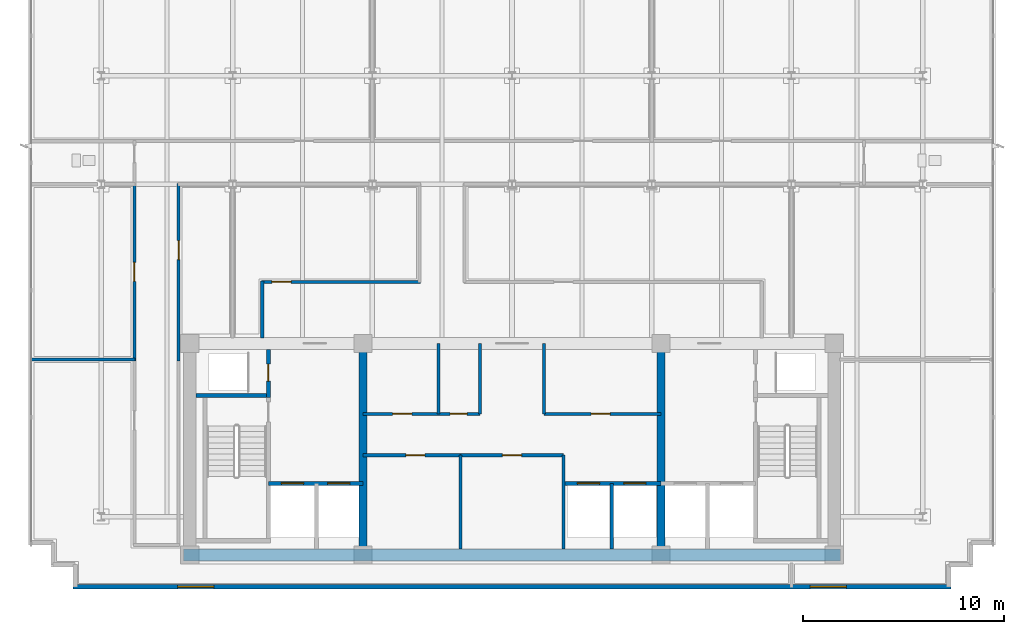
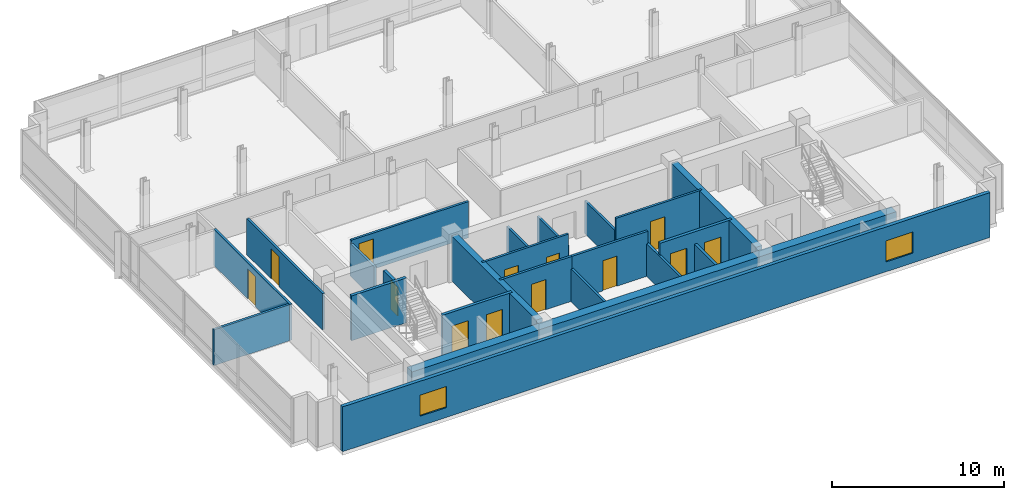
# One storey, part 8 of 15: 23 walls, 13 doors, 2 windows, 15 openings.
"""IFC4 building model written with IfcOpenShell, lengths in metres."""

from ifc_helpers import new_model, si_unit, direction, frame, frame_2d, origin, place, context, subcontext, project, spatial, rectangle, extrude, material, layer, layer_set, type_object, element, fill, save


model = new_model("IFC4")

# Units and contexts
model_context = context("Model", 3, precision=1e-05, world=origin(), true_north=direction((0.0, 1.0)))
body_context = subcontext(model_context, "Body", "Model", "MODEL_VIEW")
ifc_project = project(units=[si_unit("LENGTHUNIT", "METRE"), si_unit("AREAUNIT", "SQUARE_METRE"), si_unit("VOLUMEUNIT", "CUBIC_METRE"), si_unit("PLANEANGLEUNIT", "RADIAN"), si_unit("MASSUNIT", "GRAM", prefix="KILO")], contexts=[model_context])

# Site, building, storey
site_placement = place(None, origin())
site = spatial("IfcSite", under=ifc_project, at=site_placement, CompositionType="ELEMENT")
building_placement = place(site_placement, origin())
building = spatial("IfcBuilding", under=site, at=building_placement, Name="Solmavex Isthmus Hotel", CompositionType="ELEMENT")
storey_placement = place(building_placement, frame((0.0, 0.0, 273.0)))
storey = spatial("IfcBuildingStorey", under=building, at=storey_placement, Name="L74", CompositionType="ELEMENT", Elevation=273.0)

# Wall, openings, windows
ifc_material_1 = material(Name="Precast Concrete C40/50", Category="concrete")
ifc_layer_1 = layer(ifc_material_1, 0.25)
ifc_layer_set_1 = layer_set([ifc_layer_1], Name="Precast Concrete C40/50")
wall_type_1 = type_object("IfcWallType", Name="EW-TWR-250", PredefinedType="STANDARD", material=ifc_layer_set_1)
wall_1_placement = place(storey_placement, frame((-21.800048828125, -14.580078125, 0.0), z_axis=(0.0, 0.0, 1.0), x_axis=(1.0, 0.0, 0.0)))
wall_1 = element("IfcWall", 1, at=wall_1_placement, inside=storey, type_object=wall_type_1, Name="Tower Rear South Facade Wall L74", PredefinedType="STANDARD", context=body_context, shape_type="SweptSolid", body=[
    extrude(rectangle(XDim=43.60009765625, YDim=0.239990234375, at=frame_2d((21.800048828125, 0.0))), origin(), (0.0, 0.0, 1.0), 3.18994140625),
])
opening_1_placement = place(wall_1_placement, frame((5.2041015625, 0.0, 0.699951171875)))
opening_1 = element("IfcOpeningElement", 2, at=opening_1_placement, cuts=wall_1, Name="Opening WN-02", PredefinedType="OPENING", context=body_context, shape_type="SweptSolid", body=[
    extrude(rectangle(XDim=1.800048828125, YDim=1.5, at=frame_2d((0.89990234375, 0.75))), frame((0.0, 0.1298828125, 0.0), z_axis=(0.0, -1.0, 0.0), x_axis=(1.0, 0.0, 0.0)), (0.0, 0.0, 1.0), 0.260009765625),
])
opening_2_placement = place(wall_1_placement, frame((36.595947265625, 0.0, 0.699951171875)))
opening_2 = element("IfcOpeningElement", 3, at=opening_2_placement, cuts=wall_1, Name="Opening WN-02", PredefinedType="OPENING", context=body_context, shape_type="SweptSolid", body=[
    extrude(rectangle(XDim=1.800048828125, YDim=1.5, at=frame_2d((0.89990234375, 0.75))), frame((0.0, 0.1298828125, 0.0), z_axis=(0.0, -1.0, 0.0), x_axis=(1.0, 0.0, 0.0)), (0.0, 0.0, 1.0), 0.260009765625),
])
ifc_material_2 = material(Name="Clear low-E laminated glass", Category="glass")
window_type = type_object("IfcWindowType", Name="WIN-TWR-1800", PartitioningType="SINGLE_PANEL", PredefinedType="WINDOW", material=ifc_material_2)
window_1_placement = place(opening_1_placement, origin())
window_1 = element("IfcWindow", 4, at=window_1_placement, inside=storey, type_object=window_type, Name="South Facade Vision Window L74-S1", OverallHeight=1.5, OverallWidth=1.800048828125, PartitioningType="SINGLE_PANEL", PredefinedType="WINDOW", context=body_context, shape_type="SweptSolid", body=[
    extrude(rectangle(XDim=1.800048828125, YDim=1.5, at=frame_2d((0.89990234375, 0.75))), frame((0.0, 0.030029296875, 0.0), z_axis=(0.0, -1.0, 0.0), x_axis=(1.0, 0.0, 0.0)), (0.0, 0.0, 1.0), 0.06005859375),
])
fill(opening_1, window_1)
window_2_placement = place(opening_2_placement, origin())
window_2 = element("IfcWindow", 5, at=window_2_placement, inside=storey, type_object=window_type, Name="South Facade Vision Window L74-S2", OverallHeight=1.5, OverallWidth=1.800048828125, PartitioningType="SINGLE_PANEL", PredefinedType="WINDOW", context=body_context, shape_type="SweptSolid", body=[
    extrude(rectangle(XDim=1.800048828125, YDim=1.5, at=frame_2d((0.89990234375, 0.75))), frame((0.0, 0.030029296875, 0.0), z_axis=(0.0, -1.0, 0.0), x_axis=(1.0, 0.0, 0.0)), (0.0, 0.0, 1.0), 0.06005859375),
])
fill(opening_2, window_2)

# Wall, opening, door
ifc_material_3 = material(Name="Gypsum plasterboard lining", Category="gypsum")
ifc_layer_2 = layer(ifc_material_3, 0.159912109375)
ifc_layer_set_2 = layer_set([ifc_layer_2], Name="Gypsum plasterboard lining")
wall_type_2 = type_object("IfcWallType", Name="IW-COMP-160", PredefinedType="PARTITIONING", material=ifc_layer_set_2)
wall_2_placement = place(storey_placement, frame((-7.39990234375, -8.050048828125, 0.0), z_axis=(0.0, 0.0, 1.0), x_axis=(1.0, 0.0, 0.0)))
wall_2 = element("IfcWall", 6, at=wall_2_placement, inside=storey, type_object=wall_type_2, Name="Interior Partition Wall W-L74-REC-PLL-N", PredefinedType="PARTITIONING", context=body_context, shape_type="SweptSolid", body=[
    extrude(rectangle(XDim=4.849853515625, YDim=0.159912109375, at=frame_2d((2.4248046875, 0.0))), origin(), (0.0, 0.0, 1.0), 3.18994140625),
])
opening_3_placement = place(wall_2_placement, frame((2.125, 0.0, 0.0)))
opening_3 = element("IfcOpeningElement", 7, at=opening_3_placement, cuts=wall_2, Name="Opening ID-C095", PredefinedType="OPENING", context=body_context, shape_type="SweptSolid", body=[
    extrude(rectangle(XDim=0.949951171875, YDim=2.14990234375, at=frame_2d((0.47509765625, 1.074951171875))), frame((0.0, 0.08984375, 0.0), z_axis=(0.0, -1.0, 0.0), x_axis=(1.0, 0.0, 0.0)), (0.0, 0.0, 1.0), 0.179931640625),
])
ifc_material_4 = material(Name="Hardwood timber", Category="wood")
door_type_1 = type_object("IfcDoorType", Name="IDR-FD60-0950", OperationType="NOTDEFINED", PredefinedType="DOOR", material=ifc_material_4)
door_1_placement = place(opening_3_placement, origin())
door_1 = element("IfcDoor", 8, at=door_1_placement, inside=storey, type_object=door_type_1, Name="Linen Reserve Door L74", OperationType="SINGLE_SWING_LEFT", OverallHeight=2.14990234375, OverallWidth=0.949951171875, PredefinedType="DOOR", context=body_context, shape_type="SweptSolid", body=[
    extrude(rectangle(XDim=0.949951171875, YDim=2.14990234375, at=frame_2d((0.47509765625, 1.074951171875))), frame((0.0, 0.02490234375, 0.0), z_axis=(0.0, -1.0, 0.0), x_axis=(1.0, 0.0, 0.0)), (0.0, 0.0, 1.0), 0.050048828125),
])
fill(opening_3, door_1)

# Wall
wall_3_placement = place(storey_placement, frame((-2.550048828125, -12.699951171875, 0.0), z_axis=(0.0, 0.0, 1.0), x_axis=(0.0, 1.0, 0.0)))
element("IfcWall", 9, at=wall_3_placement, inside=storey, type_object=wall_type_2, Name="Interior Partition Wall W-L74-REC-PLL-E", PredefinedType="PARTITIONING", context=body_context, shape_type="SweptSolid", body=[
    extrude(rectangle(XDim=4.64990234375, YDim=0.159912109375, at=frame_2d((2.324951171875, 0.0))), origin(), (0.0, 0.0, 1.0), 2.324951171875),
])

# Wall, opening, door
wall_4_placement = place(storey_placement, frame((-2.550048828125, -8.050048828125, 0.0), z_axis=(0.0, 0.0, 1.0), x_axis=(1.0, 0.0, 0.0)))
wall_4 = element("IfcWall", 10, at=wall_4_placement, inside=storey, type_object=wall_type_2, Name="Interior Partition Wall W-L74-REC-PLM-N", PredefinedType="PARTITIONING", context=body_context, shape_type="SweptSolid", body=[
    extrude(rectangle(XDim=5.10009765625, YDim=0.159912109375, at=frame_2d((2.550048828125, 0.0))), origin(), (0.0, 0.0, 1.0), 3.18994140625),
])
opening_4_placement = place(wall_4_placement, frame((2.074951171875, 0.0, 0.0)))
opening_4 = element("IfcOpeningElement", 11, at=opening_4_placement, cuts=wall_4, Name="Opening ID-C095", PredefinedType="OPENING", context=body_context, shape_type="SweptSolid", body=[
    extrude(rectangle(XDim=0.949951171875, YDim=2.14990234375, at=frame_2d((0.47509765625, 1.074951171875))), frame((0.0, 0.08984375, 0.0), z_axis=(0.0, -1.0, 0.0), x_axis=(1.0, 0.0, 0.0)), (0.0, 0.0, 1.0), 0.179931640625),
])
door_2_placement = place(opening_4_placement, origin())
door_2 = element("IfcDoor", 12, at=door_2_placement, inside=storey, type_object=door_type_1, Name="Butler Store Door L74", OperationType="SINGLE_SWING_RIGHT", OverallHeight=2.14990234375, OverallWidth=0.949951171875, PredefinedType="DOOR", context=body_context, shape_type="SweptSolid", body=[
    extrude(rectangle(XDim=0.949951171875, YDim=2.14990234375, at=frame_2d((0.47509765625, 1.074951171875))), frame((0.0, 0.02490234375, 0.0), z_axis=(0.0, -1.0, 0.0), x_axis=(1.0, 0.0, 0.0)), (0.0, 0.0, 1.0), 0.050048828125),
])
fill(opening_4, door_2)

# Walls
wall_5_placement = place(storey_placement, frame((2.550048828125, -12.699951171875, 0.0), z_axis=(0.0, 0.0, 1.0), x_axis=(0.0, 1.0, 0.0)))
element("IfcWall", 13, at=wall_5_placement, inside=storey, type_object=wall_type_2, Name="Interior Partition Wall W-L74-REC-PLM-E", PredefinedType="PARTITIONING", context=body_context, shape_type="SweptSolid", body=[
    extrude(rectangle(XDim=4.64990234375, YDim=0.159912109375, at=frame_2d((2.324951171875, 0.0))), origin(), (0.0, 0.0, 1.0), 2.324951171875),
])
wall_6_placement = place(storey_placement, frame((-18.7099609375, -3.300048828125, 0.0), z_axis=(0.0, 0.0, 1.0), x_axis=(-1.0, 0.0, 0.0)))
element("IfcWall", 14, at=wall_6_placement, inside=storey, type_object=wall_type_2, Name="Interior Partition Wall W-L74-P040", PredefinedType="PARTITIONING", context=body_context, shape_type="SweptSolid", body=[
    extrude(rectangle(XDim=5.2099609375, YDim=0.159912109375, at=frame_2d((2.60498046875, 0.0))), origin(), (0.0, 0.0, 1.0), 2.5576171875),
])

# Wall, openings, doors
ifc_layer_3 = layer(ifc_material_3, 0.14990234375)
ifc_layer_set_3 = layer_set([ifc_layer_3], Name="Gypsum plasterboard lining")
wall_type_3 = type_object("IfcWallType", Name="IW-CORR-150", PredefinedType="PARTITIONING", material=ifc_layer_set_3)
wall_7_placement = place(storey_placement, frame((-7.39990234375, -6.0, 0.0), z_axis=(0.0, 0.0, 1.0), x_axis=(1.0, 0.0, 0.0)))
wall_7 = element("IfcWall", 15, at=wall_7_placement, inside=storey, type_object=wall_type_3, Name="Interior Partition Wall W-L74-BOH-WS", PredefinedType="PARTITIONING", context=body_context, shape_type="SweptSolid", body=[
    extrude(rectangle(XDim=5.7998046875, YDim=0.14990234375, at=frame_2d((2.89990234375, 0.0))), origin(), (0.0, 0.0, 1.0), 3.18994140625),
])
opening_5_placement = place(wall_7_placement, frame((1.47509765625, 0.0, 0.0)))
opening_5 = element("IfcOpeningElement", 16, at=opening_5_placement, cuts=wall_7, Name="Opening ID-C095", PredefinedType="OPENING", context=body_context, shape_type="SweptSolid", body=[
    extrude(rectangle(XDim=0.949951171875, YDim=2.14990234375, at=frame_2d((0.47509765625, 1.074951171875))), frame((0.0, 0.0849609375, 0.0), z_axis=(0.0, -1.0, 0.0), x_axis=(1.0, 0.0, 0.0)), (0.0, 0.0, 1.0), 0.169921875),
])
opening_6_placement = place(wall_7_placement, frame((4.324951171875, 0.0, 0.0)))
opening_6 = element("IfcOpeningElement", 17, at=opening_6_placement, cuts=wall_7, Name="Opening ID-R085", PredefinedType="OPENING", context=body_context, shape_type="SweptSolid", body=[
    extrude(rectangle(XDim=0.85009765625, YDim=2.050048828125, at=frame_2d((0.425048828125, 1.02490234375))), frame((0.0, 0.0849609375, 0.0), z_axis=(0.0, -1.0, 0.0), x_axis=(1.0, 0.0, 0.0)), (0.0, 0.0, 1.0), 0.169921875),
])
ifc_material_5 = material(Name="Steel ASTM A500 Grade C", Category="steel")
door_type_2 = type_object("IfcDoorType", Name="IDR-FD60-0850", OperationType="NOTDEFINED", PredefinedType="DOOR", material=ifc_material_5)
door_3_placement = place(opening_6_placement, frame((0.85009765625, 0.0, 0.0), z_axis=(0.0, 0.0, 1.0), x_axis=(-1.0, 0.0, 0.0)))
door_3 = element("IfcDoor", 18, at=door_3_placement, inside=storey, type_object=door_type_2, Name="Cleaner Closet Door L74", OperationType="SINGLE_SWING_RIGHT", OverallHeight=2.050048828125, OverallWidth=0.85009765625, PredefinedType="DOOR", context=body_context, shape_type="SweptSolid", body=[
    extrude(rectangle(XDim=0.85009765625, YDim=2.050048828125, at=frame_2d((0.425048828125, 1.02490234375))), frame((0.0, 0.02490234375, 0.0), z_axis=(0.0, -1.0, 0.0), x_axis=(1.0, 0.0, 0.0)), (0.0, 0.0, 1.0), 0.050048828125),
])
fill(opening_6, door_3)
door_4_placement = place(opening_5_placement, frame((0.949951171875, 0.0, 0.0), z_axis=(0.0, 0.0, 1.0), x_axis=(-1.0, 0.0, 0.0)))
door_4 = element("IfcDoor", 19, at=door_4_placement, inside=storey, type_object=door_type_1, Name="Housekeeping Store Door L74", OperationType="SINGLE_SWING_LEFT", OverallHeight=2.14990234375, OverallWidth=0.949951171875, PredefinedType="DOOR", context=body_context, shape_type="SweptSolid", body=[
    extrude(rectangle(XDim=0.949951171875, YDim=2.14990234375, at=frame_2d((0.47509765625, 1.074951171875))), frame((0.0, 0.02490234375, 0.0), z_axis=(0.0, -1.0, 0.0), x_axis=(1.0, 0.0, 0.0)), (0.0, 0.0, 1.0), 0.050048828125),
])
fill(opening_5, door_4)

# Wall
wall_8_placement = place(storey_placement, frame((-1.60009765625, -6.0, 0.0), z_axis=(0.0, 0.0, 1.0), x_axis=(0.0, 1.0, 0.0)))
element("IfcWall", 20, at=wall_8_placement, inside=storey, type_object=wall_type_3, Name="Interior Partition Wall W-L74-BOH-WE", PredefinedType="PARTITIONING", context=body_context, shape_type="SweptSolid", body=[
    extrude(rectangle(XDim=3.5, YDim=0.14990234375, at=frame_2d((1.75, 0.0))), origin(), (0.0, 0.0, 1.0), 2.324951171875),
])

# Wall, opening, door
wall_9_placement = place(storey_placement, frame((1.60009765625, -6.0, 0.0), z_axis=(0.0, 0.0, 1.0), x_axis=(1.0, 0.0, 0.0)))
wall_9 = element("IfcWall", 21, at=wall_9_placement, inside=storey, type_object=wall_type_3, Name="Interior Partition Wall W-L74-BOH-ES", PredefinedType="PARTITIONING", context=body_context, shape_type="SweptSolid", body=[
    extrude(rectangle(XDim=5.7998046875, YDim=0.14990234375, at=frame_2d((2.89990234375, 0.0))), origin(), (0.0, 0.0, 1.0), 3.18994140625),
])
opening_7_placement = place(wall_9_placement, frame((2.324951171875, 0.0, 0.0)))
opening_7 = element("IfcOpeningElement", 22, at=opening_7_placement, cuts=wall_9, Name="Opening ID-C095", PredefinedType="OPENING", context=body_context, shape_type="SweptSolid", body=[
    extrude(rectangle(XDim=0.949951171875, YDim=2.14990234375, at=frame_2d((0.47509765625, 1.074951171875))), frame((0.0, 0.0849609375, 0.0), z_axis=(0.0, -1.0, 0.0), x_axis=(1.0, 0.0, 0.0)), (0.0, 0.0, 1.0), 0.169921875),
])
door_5_placement = place(opening_7_placement, frame((0.949951171875, 0.0, 0.0), z_axis=(0.0, 0.0, 1.0), x_axis=(-1.0, 0.0, 0.0)))
door_5 = element("IfcDoor", 23, at=door_5_placement, inside=storey, type_object=door_type_1, Name="Butler Pantry Door L74", OperationType="SINGLE_SWING_RIGHT", OverallHeight=2.14990234375, OverallWidth=0.949951171875, PredefinedType="DOOR", context=body_context, shape_type="SweptSolid", body=[
    extrude(rectangle(XDim=0.949951171875, YDim=2.14990234375, at=frame_2d((0.47509765625, 1.074951171875))), frame((0.0, 0.02490234375, 0.0), z_axis=(0.0, -1.0, 0.0), x_axis=(1.0, 0.0, 0.0)), (0.0, 0.0, 1.0), 0.050048828125),
])
fill(opening_7, door_5)

# Wall
wall_10_placement = place(storey_placement, frame((1.60009765625, -6.0, 0.0), z_axis=(0.0, 0.0, 1.0), x_axis=(0.0, 1.0, 0.0)))
element("IfcWall", 24, at=wall_10_placement, inside=storey, type_object=wall_type_3, Name="Interior Partition Wall W-L74-BOH-EW", PredefinedType="PARTITIONING", context=body_context, shape_type="SweptSolid", body=[
    extrude(rectangle(XDim=3.5, YDim=0.14990234375, at=frame_2d((1.75, 0.0))), origin(), (0.0, 0.0, 1.0), 2.324951171875),
])

# Wall, opening, door
wall_11_placement = place(storey_placement, frame((-16.550048828125, 5.43994140625, 0.0), z_axis=(0.0, 0.0, 1.0), x_axis=(0.0, -1.0, 0.0)))
wall_11 = element("IfcWall", 25, at=wall_11_placement, inside=storey, type_object=wall_type_3, Name="Interior Partition Wall W-L74-P007", PredefinedType="PARTITIONING", context=body_context, shape_type="SweptSolid", body=[
    extrude(rectangle(XDim=8.822021484375, YDim=0.14990234375, at=frame_2d((4.4111328125, 0.0))), origin(), (0.0, 0.0, 1.0), 2.572265625),
])
opening_8_placement = place(wall_11_placement, frame((2.83447265625, 0.0, 0.0)))
opening_8 = element("IfcOpeningElement", 26, at=opening_8_placement, cuts=wall_11, Name="Opening ID-C095", PredefinedType="OPENING", context=body_context, shape_type="SweptSolid", body=[
    extrude(rectangle(XDim=0.949951171875, YDim=2.14990234375, at=frame_2d((0.47509765625, 1.074951171875))), frame((0.0, 0.0849609375, 0.0), z_axis=(0.0, -1.0, 0.0), x_axis=(1.0, 0.0, 0.0)), (0.0, 0.0, 1.0), 0.169921875),
])
door_6_placement = place(opening_8_placement, frame((0.949951171875, 0.0, 0.0), z_axis=(0.0, 0.0, 1.0), x_axis=(-1.0, 0.0, 0.0)))
door_6 = element("IfcDoor", 27, at=door_6_placement, inside=storey, type_object=door_type_1, Name="Private Chef Kitchen Door L74-06", OperationType="SINGLE_SWING_RIGHT", OverallHeight=2.14990234375, OverallWidth=0.949951171875, PredefinedType="DOOR", context=body_context, shape_type="SweptSolid", body=[
    extrude(rectangle(XDim=0.949951171875, YDim=2.14990234375, at=frame_2d((0.47509765625, 1.074951171875))), frame((0.0, 0.02490234375, 0.0), z_axis=(0.0, -1.0, 0.0), x_axis=(1.0, 0.0, 0.0)), (0.0, 0.0, 1.0), 0.050048828125),
])
fill(opening_8, door_6)

wall_12_placement = place(storey_placement, frame((-18.75, -3.382080078125, 0.0), z_axis=(0.0, 0.0, 1.0), x_axis=(0.0, 1.0, 0.0)))
wall_12 = element("IfcWall", 28, at=wall_12_placement, inside=storey, type_object=wall_type_3, Name="Interior Partition Wall W-L74-P008", PredefinedType="PARTITIONING", context=body_context, shape_type="SweptSolid", body=[
    extrude(rectangle(XDim=8.864013671875, YDim=0.14990234375, at=frame_2d((4.43212890625, 0.0))), origin(), (0.0, 0.0, 1.0), 2.572265625),
])
opening_9_placement = place(wall_12_placement, frame((3.95703125, 0.0, 0.0)))
opening_9 = element("IfcOpeningElement", 29, at=opening_9_placement, cuts=wall_12, Name="Opening ID-C095", PredefinedType="OPENING", context=body_context, shape_type="SweptSolid", body=[
    extrude(rectangle(XDim=0.949951171875, YDim=2.14990234375, at=frame_2d((0.47509765625, 1.074951171875))), frame((0.0, 0.0849609375, 0.0), z_axis=(0.0, -1.0, 0.0), x_axis=(1.0, 0.0, 0.0)), (0.0, 0.0, 1.0), 0.169921875),
])
door_7_placement = place(opening_9_placement, origin())
door_7 = element("IfcDoor", 30, at=door_7_placement, inside=storey, type_object=door_type_1, Name="Wine Tasting Lounge Door L74-07", OperationType="SINGLE_SWING_LEFT", OverallHeight=2.14990234375, OverallWidth=0.949951171875, PredefinedType="DOOR", context=body_context, shape_type="SweptSolid", body=[
    extrude(rectangle(XDim=0.949951171875, YDim=2.14990234375, at=frame_2d((0.47509765625, 1.074951171875))), frame((0.0, 0.02490234375, 0.0), z_axis=(0.0, -1.0, 0.0), x_axis=(1.0, 0.0, 0.0)), (0.0, 0.0, 1.0), 0.050048828125),
])
fill(opening_9, door_7)

# Wall
wall_13_placement = place(storey_placement, frame((-12.39990234375, -2.239990234375, 0.0), z_axis=(0.0, 0.0, 1.0), x_axis=(0.0, 1.0, 0.0)))
element("IfcWall", 31, at=wall_13_placement, inside=storey, type_object=wall_type_3, Name="Interior Partition Wall W-L74-P009", PredefinedType="PARTITIONING", context=body_context, shape_type="SweptSolid", body=[
    extrude(rectangle(XDim=2.830078125, YDim=0.14990234375, at=frame_2d((1.4150390625, 0.0))), origin(), (0.0, 0.0, 1.0), 2.324951171875),
])

# Wall, opening, door
wall_14_placement = place(storey_placement, frame((-12.43994140625, 0.550048828125, 0.0), z_axis=(0.0, 0.0, 1.0), x_axis=(1.0, 0.0, 0.0)))
wall_14 = element("IfcWall", 32, at=wall_14_placement, inside=storey, type_object=wall_type_3, Name="Interior Partition Wall W-L74-P010", PredefinedType="PARTITIONING", context=body_context, shape_type="SweptSolid", body=[
    extrude(rectangle(XDim=7.891845703125, YDim=0.14990234375, at=frame_2d((3.94580078125, 0.0))), origin(), (0.0, 0.0, 1.0), 2.572265625),
])
opening_10_placement = place(wall_14_placement, frame((0.51806640625, 0.0, 0.0)))
opening_10 = element("IfcOpeningElement", 33, at=opening_10_placement, cuts=wall_14, Name="Opening ID-C095", PredefinedType="OPENING", context=body_context, shape_type="SweptSolid", body=[
    extrude(rectangle(XDim=0.949951171875, YDim=2.14990234375, at=frame_2d((0.47509765625, 1.074951171875))), frame((0.0, 0.0849609375, 0.0), z_axis=(0.0, -1.0, 0.0), x_axis=(1.0, 0.0, 0.0)), (0.0, 0.0, 1.0), 0.169921875),
])
door_8_placement = place(opening_10_placement, origin())
door_8 = element("IfcDoor", 34, at=door_8_placement, inside=storey, type_object=door_type_1, Name="Catering Servery Kitchen Door L74-08", OperationType="SINGLE_SWING_RIGHT", OverallHeight=2.14990234375, OverallWidth=0.949951171875, PredefinedType="DOOR", context=body_context, shape_type="SweptSolid", body=[
    extrude(rectangle(XDim=0.949951171875, YDim=2.14990234375, at=frame_2d((0.47509765625, 1.074951171875))), frame((0.0, 0.02490234375, 0.0), z_axis=(0.0, -1.0, 0.0), x_axis=(1.0, 0.0, 0.0)), (0.0, 0.0, 1.0), 0.050048828125),
])
fill(opening_10, door_8)

# Walls
ifc_layer_4 = layer(ifc_material_3, 0.1201171875)
ifc_layer_set_4 = layer_set([ifc_layer_4], Name="Gypsum plasterboard lining")
wall_type_4 = type_object("IfcWallType", Name="IW-PART-120", PredefinedType="PARTITIONING", material=ifc_layer_set_4)
wall_15_placement = place(storey_placement, frame((-3.64990234375, -6.0, 0.0), z_axis=(0.0, 0.0, 1.0), x_axis=(0.0, 1.0, 0.0)))
element("IfcWall", 35, at=wall_15_placement, inside=storey, type_object=wall_type_4, Name="Interior Partition Wall W-L74-BOH-WM1", PredefinedType="PARTITIONING", context=body_context, shape_type="SweptSolid", body=[
    extrude(rectangle(XDim=3.5, YDim=0.14990234375, at=frame_2d((1.75, 0.0))), origin(), (0.0, 0.0, 1.0), 2.324951171875),
])
ifc_material_6 = material(Name="Concrete C40/50", Category="concrete")
ifc_layer_5 = layer(ifc_material_6, 0.179931640625)
ifc_layer_set_5 = layer_set([ifc_layer_5], Name="Concrete C40/50")
wall_type_5 = type_object("IfcWallType", Name="IW-SHAFT-180", PredefinedType="PARTITIONING", material=ifc_layer_set_5)
wall_16_placement = place(storey_placement, frame((4.949951171875, -12.699951171875, 0.0), z_axis=(0.0, 0.0, 1.0), x_axis=(0.0, 1.0, 0.0)))
element("IfcWall", 36, at=wall_16_placement, inside=storey, type_object=wall_type_5, Name="Interior Partition Wall W-L74-SH-PLH-M", PredefinedType="PARTITIONING", context=body_context, shape_type="SweptSolid", body=[
    extrude(rectangle(XDim=3.25, YDim=0.179931640625, at=frame_2d((1.625, 0.0))), origin(), (0.0, 0.0, 1.0), 2.324951171875),
])

# Wall, opening, door
ifc_layer_6 = layer(ifc_material_6, 0.199951171875)
ifc_layer_set_6 = layer_set([ifc_layer_6], Name="Concrete C40/50")
wall_type_6 = type_object("IfcWallType", Name="IW-SHAFT-200", PredefinedType="PARTITIONING", material=ifc_layer_set_6)
wall_17_placement = place(storey_placement, frame((-12.10009765625, -5.199951171875, 0.0), z_axis=(0.0, 0.0, 1.0), x_axis=(0.0, 1.0, 0.0)))
wall_17 = element("IfcWall", 37, at=wall_17_placement, inside=storey, type_object=wall_type_6, Name="Interior Partition Wall W-L74-RSW-E", PredefinedType="PARTITIONING", context=body_context, shape_type="SweptSolid", body=[
    extrude(rectangle(XDim=2.39990234375, YDim=0.199951171875, at=frame_2d((1.199951171875, 0.0))), origin(), (0.0, 0.0, 1.0), 2.324951171875),
])
opening_11_placement = place(wall_17_placement, frame((0.824951171875, 0.0, 0.0)))
opening_11 = element("IfcOpeningElement", 38, at=opening_11_placement, cuts=wall_17, Name="Opening ID-R085", PredefinedType="OPENING", context=body_context, shape_type="SweptSolid", body=[
    extrude(rectangle(XDim=0.85009765625, YDim=2.050048828125, at=frame_2d((0.425048828125, 1.02490234375))), frame((0.0, 0.10986328125, 0.0), z_axis=(0.0, -1.0, 0.0), x_axis=(1.0, 0.0, 0.0)), (0.0, 0.0, 1.0), 0.219970703125),
])
door_9_placement = place(opening_11_placement, origin())
door_9 = element("IfcDoor", 39, at=door_9_placement, inside=storey, type_object=door_type_2, Name="Electrical Riser Door L74", OperationType="SINGLE_SWING_RIGHT", OverallHeight=2.050048828125, OverallWidth=0.85009765625, PredefinedType="DOOR", context=body_context, shape_type="SweptSolid", body=[
    extrude(rectangle(XDim=0.85009765625, YDim=2.050048828125, at=frame_2d((0.425048828125, 1.02490234375))), frame((0.0, 0.02490234375, 0.0), z_axis=(0.0, -1.0, 0.0), x_axis=(1.0, 0.0, 0.0)), (0.0, 0.0, 1.0), 0.050048828125),
])
fill(opening_11, door_9)

# Wall, openings, doors
wall_18_placement = place(storey_placement, frame((-12.10009765625, -9.449951171875, 0.0), z_axis=(0.0, 0.0, 1.0), x_axis=(1.0, 0.0, 0.0)))
wall_18 = element("IfcWall", 40, at=wall_18_placement, inside=storey, type_object=wall_type_6, Name="Interior Partition Wall W-L74-FFLW-S", PredefinedType="PARTITIONING", context=body_context, shape_type="SweptSolid", body=[
    extrude(rectangle(XDim=4.7001953125, YDim=0.199951171875, at=frame_2d((2.35009765625, 0.0))), origin(), (0.0, 0.0, 1.0), 3.18994140625),
])
opening_12_placement = place(wall_18_placement, frame((0.64990234375, 0.0, 0.0)))
opening_12 = element("IfcOpeningElement", 41, at=opening_12_placement, cuts=wall_18, Name="Opening LD-FF", PredefinedType="OPENING", context=body_context, shape_type="SweptSolid", body=[
    extrude(rectangle(XDim=1.10009765625, YDim=2.199951171875, at=frame_2d((0.550048828125, 1.10009765625))), frame((0.0, 0.10986328125, 0.0), z_axis=(0.0, -1.0, 0.0), x_axis=(1.0, 0.0, 0.0)), (0.0, 0.0, 1.0), 0.219970703125),
])
opening_13_placement = place(wall_18_placement, frame((2.949951171875, 0.0, 0.0)))
opening_13 = element("IfcOpeningElement", 42, at=opening_13_placement, cuts=wall_18, Name="Opening LD-SV", PredefinedType="OPENING", context=body_context, shape_type="SweptSolid", body=[
    extrude(rectangle(XDim=1.10009765625, YDim=2.199951171875, at=frame_2d((0.550048828125, 1.10009765625))), frame((0.0, 0.10986328125, 0.0), z_axis=(0.0, -1.0, 0.0), x_axis=(1.0, 0.0, 0.0)), (0.0, 0.0, 1.0), 0.219970703125),
])
ifc_material_7 = material(Name="Stainless steel 316", Category="steel")
door_type_3 = type_object("IfcDoorType", Name="LDR-FF-1100", OperationType="NOTDEFINED", PredefinedType="DOOR", material=ifc_material_7)
door_10_placement = place(opening_12_placement, origin())
door_10 = element("IfcDoor", 43, at=door_10_placement, inside=storey, type_object=door_type_3, Name="Lift Landing Door FFL-1 L74", OperationType="SLIDING_TO_LEFT", OverallHeight=2.199951171875, OverallWidth=1.10009765625, PredefinedType="DOOR", context=body_context, shape_type="SweptSolid", body=[
    extrude(rectangle(XDim=1.10009765625, YDim=2.199951171875, at=frame_2d((0.550048828125, 1.10009765625))), frame((0.0, 0.02490234375, 0.0), z_axis=(0.0, -1.0, 0.0), x_axis=(1.0, 0.0, 0.0)), (0.0, 0.0, 1.0), 0.050048828125),
])
fill(opening_12, door_10)
door_type_4 = type_object("IfcDoorType", Name="LDR-SV-1100", OperationType="NOTDEFINED", PredefinedType="DOOR", material=ifc_material_7)
door_11_placement = place(opening_13_placement, origin())
door_11 = element("IfcDoor", 44, at=door_11_placement, inside=storey, type_object=door_type_4, Name="Lift Landing Door SVL-1 L74", OperationType="SLIDING_TO_RIGHT", OverallHeight=2.199951171875, OverallWidth=1.10009765625, PredefinedType="DOOR", context=body_context, shape_type="SweptSolid", body=[
    extrude(rectangle(XDim=1.10009765625, YDim=2.199951171875, at=frame_2d((0.550048828125, 1.10009765625))), frame((0.0, 0.02490234375, 0.0), z_axis=(0.0, -1.0, 0.0), x_axis=(1.0, 0.0, 0.0)), (0.0, 0.0, 1.0), 0.050048828125),
])
fill(opening_13, door_11)

wall_19_placement = place(storey_placement, frame((2.550048828125, -9.449951171875, 0.0), z_axis=(0.0, 0.0, 1.0), x_axis=(1.0, 0.0, 0.0)))
wall_19 = element("IfcWall", 45, at=wall_19_placement, inside=storey, type_object=wall_type_6, Name="Interior Partition Wall W-L74-SH-PLH", PredefinedType="PARTITIONING", context=body_context, shape_type="SweptSolid", body=[
    extrude(rectangle(XDim=4.849853515625, YDim=0.199951171875, at=frame_2d((2.4248046875, 0.0))), origin(), (0.0, 0.0, 1.0), 3.18994140625),
])
opening_14_placement = place(wall_19_placement, frame((0.699951171875, 0.0, 0.0)))
opening_14 = element("IfcOpeningElement", 46, at=opening_14_placement, cuts=wall_19, Name="Opening LD-PL", PredefinedType="OPENING", context=body_context, shape_type="SweptSolid", body=[
    extrude(rectangle(XDim=1.10009765625, YDim=2.199951171875, at=frame_2d((0.550048828125, 1.10009765625))), frame((0.0, 0.10986328125, 0.0), z_axis=(0.0, -1.0, 0.0), x_axis=(1.0, 0.0, 0.0)), (0.0, 0.0, 1.0), 0.219970703125),
])
opening_15_placement = place(wall_19_placement, frame((3.0, 0.0, 0.0)))
opening_15 = element("IfcOpeningElement", 47, at=opening_15_placement, cuts=wall_19, Name="Opening LD-PL", PredefinedType="OPENING", context=body_context, shape_type="SweptSolid", body=[
    extrude(rectangle(XDim=1.10009765625, YDim=2.199951171875, at=frame_2d((0.550048828125, 1.10009765625))), frame((0.0, 0.10986328125, 0.0), z_axis=(0.0, -1.0, 0.0), x_axis=(1.0, 0.0, 0.0)), (0.0, 0.0, 1.0), 0.219970703125),
])
door_type_5 = type_object("IfcDoorType", Name="LDR-PL-1100", OperationType="NOTDEFINED", PredefinedType="DOOR", material=ifc_material_7)
door_12_placement = place(opening_14_placement, origin())
door_12 = element("IfcDoor", 48, at=door_12_placement, inside=storey, type_object=door_type_5, Name="Lift Landing Door PLH1 L74", OperationType="SLIDING_TO_LEFT", OverallHeight=2.199951171875, OverallWidth=1.10009765625, PredefinedType="DOOR", context=body_context, shape_type="SweptSolid", body=[
    extrude(rectangle(XDim=1.10009765625, YDim=2.199951171875, at=frame_2d((0.550048828125, 1.10009765625))), frame((0.0, 0.02490234375, 0.0), z_axis=(0.0, -1.0, 0.0), x_axis=(1.0, 0.0, 0.0)), (0.0, 0.0, 1.0), 0.050048828125),
])
fill(opening_14, door_12)
door_13_placement = place(opening_15_placement, origin())
door_13 = element("IfcDoor", 49, at=door_13_placement, inside=storey, type_object=door_type_5, Name="Lift Landing Door PLH2 L74", OperationType="SLIDING_TO_LEFT", OverallHeight=2.199951171875, OverallWidth=1.10009765625, PredefinedType="DOOR", context=body_context, shape_type="SweptSolid", body=[
    extrude(rectangle(XDim=1.10009765625, YDim=2.199951171875, at=frame_2d((0.550048828125, 1.10009765625))), frame((0.0, 0.02490234375, 0.0), z_axis=(0.0, -1.0, 0.0), x_axis=(1.0, 0.0, 0.0)), (0.0, 0.0, 1.0), 0.050048828125),
])
fill(opening_15, door_13)

# Walls
ifc_material_8 = material(Name="Concrete C50/60", Category="concrete")
ifc_layer_7 = layer(ifc_material_8, 0.39990234375)
ifc_layer_set_7 = layer_set([ifc_layer_7], Name="Concrete C50/60")
wall_type_7 = type_object("IfcWallType", Name="WALL-CW-400H", PredefinedType="SHEAR", material=ifc_layer_set_7)
for number, where, z_axis, x_axis, name in (
    (50, (-7.39990234375, -12.699951171875, 0.0), (0.0, 0.0, 1.0), (0.0, 1.0, 0.0), "Core Cross Shear Wall C1 L74"),
    (51, (7.39990234375, -12.699951171875, 0.0), (0.0, 0.0, 1.0), (0.0, 1.0, 0.0), "Core Cross Shear Wall C2 L74"),
):
    element("IfcWall", number, at=place(storey_placement, frame(where, z_axis=z_axis, x_axis=x_axis)), inside=storey, type_object=wall_type_7, Name=name, PredefinedType="SHEAR", context=body_context, shape_type="SweptSolid", body=[
        extrude(rectangle(XDim=9.89990234375, YDim=0.39990234375, at=frame_2d((4.949951171875, 0.0))), origin(), (0.0, 0.0, 1.0), 3.18994140625),
    ])
ifc_layer_8 = layer(ifc_material_8, 0.60009765625)
ifc_layer_set_8 = layer_set([ifc_layer_8], Name="Concrete C50/60")
wall_type_8 = type_object("IfcWallType", Name="WALL-CW-600", PredefinedType="SHEAR", material=ifc_layer_set_8)
wall_20_placement = place(storey_placement, frame((-16.300048828125, -13.0, 0.0), z_axis=(0.0, 0.0, 1.0), x_axis=(1.0, 0.0, 0.0)))
element("IfcWall", 52, at=wall_20_placement, inside=storey, type_object=wall_type_8, Name="Core Shear Wall South L74", PredefinedType="SHEAR", context=body_context, shape_type="SweptSolid", body=[
    extrude(rectangle(XDim=32.60009765625, YDim=0.60009765625, at=frame_2d((16.300048828125, 0.0))), origin(), (0.0, 0.0, 1.0), 2.909912109375),
])
ifc_layer_9 = layer(ifc_material_6, 0.199951171875)
ifc_layer_set_9 = layer_set([ifc_layer_9], Name="Concrete C40/50")
wall_type_9 = type_object("IfcWallType", Name="WALL-SW-200", PredefinedType="SOLIDWALL", material=ifc_layer_set_9)
wall_21_placement = place(storey_placement, frame((-15.699951171875, -5.10009765625, 0.0), z_axis=(0.0, 0.0, 1.0), x_axis=(1.0, 0.0, 0.0)))
element("IfcWall", 53, at=wall_21_placement, inside=storey, type_object=wall_type_9, Name="Stairwell Structural Wall SW-L74-ST1-N", PredefinedType="SOLIDWALL", context=body_context, shape_type="SweptSolid", body=[
    extrude(rectangle(XDim=3.699951171875, YDim=0.199951171875, at=frame_2d((1.85009765625, 0.0))), origin(), (0.0, 0.0, 1.0), 3.18994140625),
])

save(model, "model.ifc")
